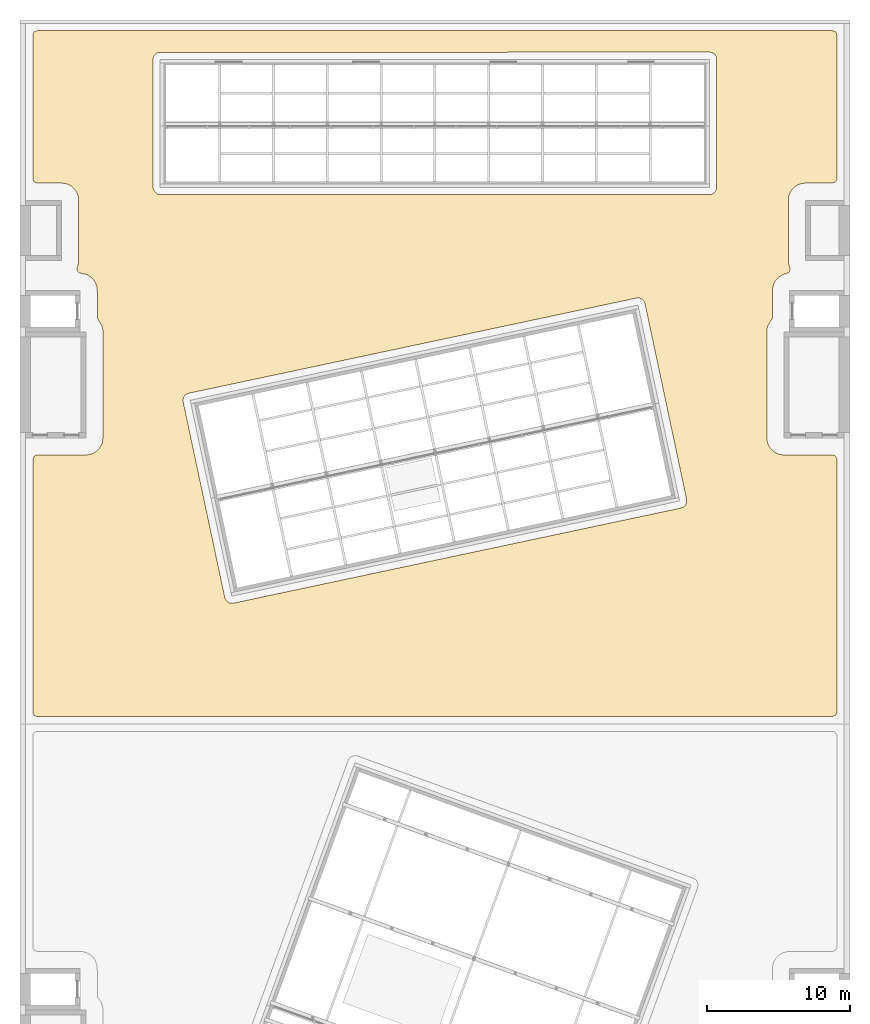
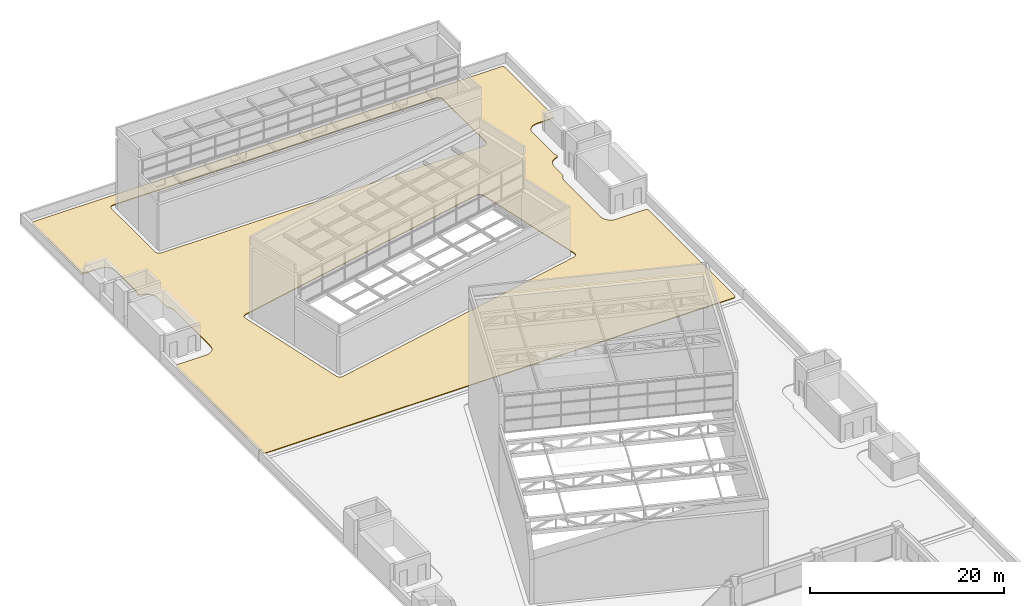
# One storey, part 67 of 72: 1 covering.
"""IFC4 building model written with IfcOpenShell, lengths in metres."""

from ifc_helpers import new_model, si_unit, direction, frame, origin, place, context, subcontext, project, spatial, polyline, outline, extrude, material, layer, layer_set, type_object, element, save


model = new_model("IFC4")

# Units and contexts
model_context = context("Model", 3, precision=1e-05, world=origin(), true_north=direction((0.0, 1.0)))
body_context = subcontext(model_context, "Body", "Model", "MODEL_VIEW")
ifc_project = project(units=[si_unit("LENGTHUNIT", "METRE"), si_unit("AREAUNIT", "SQUARE_METRE"), si_unit("VOLUMEUNIT", "CUBIC_METRE"), si_unit("PLANEANGLEUNIT", "RADIAN"), si_unit("MASSUNIT", "GRAM", prefix="KILO")], contexts=[model_context])

# Site, building, storey
site_placement = place(None, origin())
site = spatial("IfcSite", under=ifc_project, at=site_placement, CompositionType="ELEMENT")
building_placement = place(site_placement, origin())
building = spatial("IfcBuilding", under=site, at=building_placement, Name="Nzadi Deep Aquarium and Research Tower", CompositionType="ELEMENT")
storey_placement = place(building_placement, frame((0.0, 0.0, 31.89990234375)))
storey = spatial("IfcBuildingStorey", under=building, at=storey_placement, Name="L05", CompositionType="ELEMENT", Elevation=31.89990234375)

# Covering
ifc_material = material(Name="Extensive green roof substrate and sedum")
ifc_layer = layer(ifc_material, 0.10009765625)
ifc_layer_set = layer_set([ifc_layer], Name="Extensive green roof substrate and sedum")
covering_type = type_object("IfcCoveringType", Name="Extensive green roof 100 mm", PredefinedType="ROOFING", material=ifc_layer_set)
covering_placement = place(storey_placement, origin())
element("IfcCovering", 1, at=covering_placement, inside=storey, type_object=covering_type, Name="Extensive green roof", PredefinedType="ROOFING", context=body_context, shape_type="SweptSolid", body=[
    extrude(outline(polyline([(1.0, 94.6201171875), (0.88525390625, 94.642822265625), (0.787841796875, 94.7080078125), (0.722900390625, 94.80517578125), (0.699951171875, 94.919921875), (0.705810546875, 112.658447265625), (0.809814453125, 112.831787109375), (0.970703125, 112.898681640625), (4.396240234375, 112.89990234375), (4.626708984375, 112.922119140625), (4.852294921875, 112.989013671875), (5.072509765625, 113.106689453125), (5.32275390625, 113.333251953125), (5.45458984375, 113.528076171875), (5.550048828125, 113.7587890625), (5.60009765625, 114.103759765625), (5.60009765625, 121.496337890625), (5.577880859375, 121.726806640625), (5.510986328125, 121.952392578125), (5.205078125, 122.462890625), (5.19970703125, 124.40380859375), (5.17529296875, 124.641357421875), (5.10546875, 124.865966796875), (4.931884765625, 125.155517578125), (4.75537109375, 125.33203125), (4.452392578125, 125.510986328125), (3.944091796875, 125.62548828125), (3.83154296875, 125.718017578125), (3.775634765625, 125.852783203125), (3.781494140625, 125.9697265625), (3.8779296875, 126.273193359375), (3.89990234375, 126.503662109375), (3.89990234375, 130.6962890625), (3.875244140625, 130.94140625), (3.805419921875, 131.166015625), (3.693359375, 131.37255859375), (3.466796875, 131.622802734375), (3.27197265625, 131.75439453125), (3.055419921875, 131.845703125), (2.70361328125, 131.89990234375), (0.970703125, 131.9013671875), (0.787841796875, 131.98779296875), (0.705810546875, 132.1416015625), (0.699951171875, 142.25), (0.7353515625, 142.391357421875), (0.809814453125, 142.48193359375), (1.0, 142.550048828125), (56.60009765625, 142.550048828125), (56.741455078125, 142.5146484375), (56.831787109375, 142.440185546875), (56.89990234375, 142.25), (56.894287109375, 132.1416015625), (56.81201171875, 131.98779296875), (56.62939453125, 131.9013671875), (54.70361328125, 131.89990234375), (54.35888671875, 131.85009765625), (54.14111328125, 131.761474609375), (53.933349609375, 131.622802734375), (53.76806640625, 131.455322265625), (53.594482421875, 131.166015625), (53.52490234375, 130.94140625), (53.5, 130.6962890625), (53.5, 126.503662109375), (53.52490234375, 126.2587890625), (53.62841796875, 125.948974609375), (53.63427734375, 125.83203125), (53.578369140625, 125.697265625), (53.49169921875, 125.61865234375), (53.134033203125, 125.505615234375), (52.833251953125, 125.32275390625), (52.606689453125, 125.072509765625), (52.489013671875, 124.852294921875), (52.422119140625, 124.626708984375), (52.400146484375, 124.40380859375), (52.39501953125, 122.462890625), (52.0888671875, 121.952392578125), (52.02197265625, 121.726806640625), (52.0, 121.496337890625), (52.0, 114.103759765625), (52.0498046875, 113.7587890625), (52.1455078125, 113.528076171875), (52.27734375, 113.333251953125), (52.52734375, 113.106689453125), (52.747802734375, 112.989013671875), (52.97314453125, 112.922119140625), (53.20361328125, 112.89990234375), (56.62939453125, 112.898681640625), (56.790283203125, 112.831787109375), (56.894287109375, 112.658447265625), (56.89990234375, 94.919921875), (56.877197265625, 94.80517578125), (56.790283203125, 94.68798828125), (56.60009765625, 94.6201171875), (1.0, 94.6201171875)]), holes=[polyline([(9.10009765625, 140.5537109375), (9.10205078125, 131.558349609375), (9.162841796875, 131.35791015625), (9.35791015625, 131.162841796875), (9.603759765625, 131.10009765625), (48.104736328125, 131.111328125), (48.271484375, 131.180419921875), (48.390869140625, 131.288818359375), (48.47607421875, 131.447998046875), (48.499755859375, 131.59619140625), (48.488525390625, 140.65478515625), (48.41943359375, 140.821533203125), (48.311279296875, 140.94091796875), (48.152099609375, 141.02587890625), (47.996337890625, 141.050048828125), (9.495361328125, 141.03857421875), (9.32861328125, 140.969482421875), (9.208984375, 140.861328125), (9.1240234375, 140.7021484375), (9.10009765625, 140.5537109375)]), polyline([(11.205810546875, 116.61279296875), (14.126708984375, 102.882080078125), (14.220458984375, 102.707275390625), (14.4267578125, 102.5595703125), (14.705322265625, 102.53662109375), (46.006103515625, 109.189697265625), (46.19482421875, 109.27197265625), (46.30078125, 109.373291015625), (46.37255859375, 109.501220703125), (46.404296875, 109.644287109375), (46.39404296875, 109.787109375), (43.48486328125, 123.47412109375), (43.402587890625, 123.66259765625), (43.301025390625, 123.7685546875), (43.17333984375, 123.84033203125), (43.030029296875, 123.8720703125), (42.887451171875, 123.86181640625), (11.593994140625, 117.210205078125), (11.4052734375, 117.1279296875), (11.29931640625, 117.026611328125), (11.2275390625, 116.898681640625), (11.19580078125, 116.755615234375), (11.205810546875, 116.61279296875)])]), origin(), (0.0, 0.0, 1.0), 0.10009765625),
])

save(model, "model.ifc")
